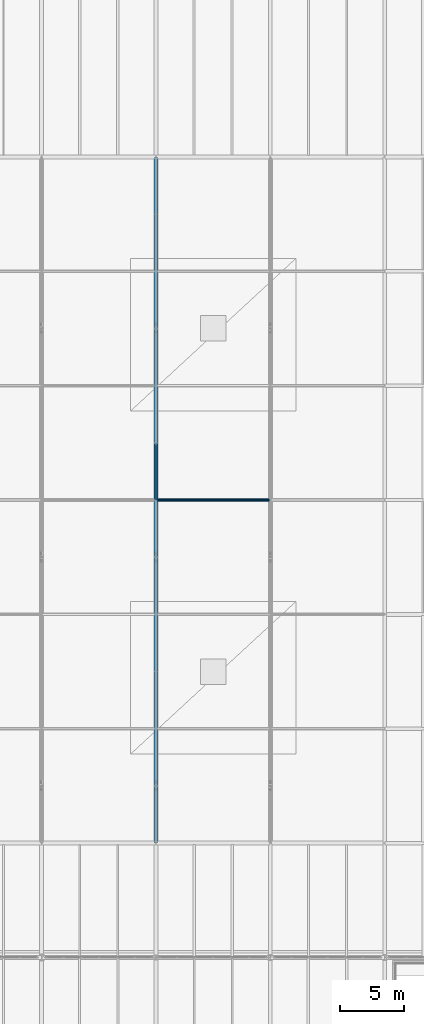
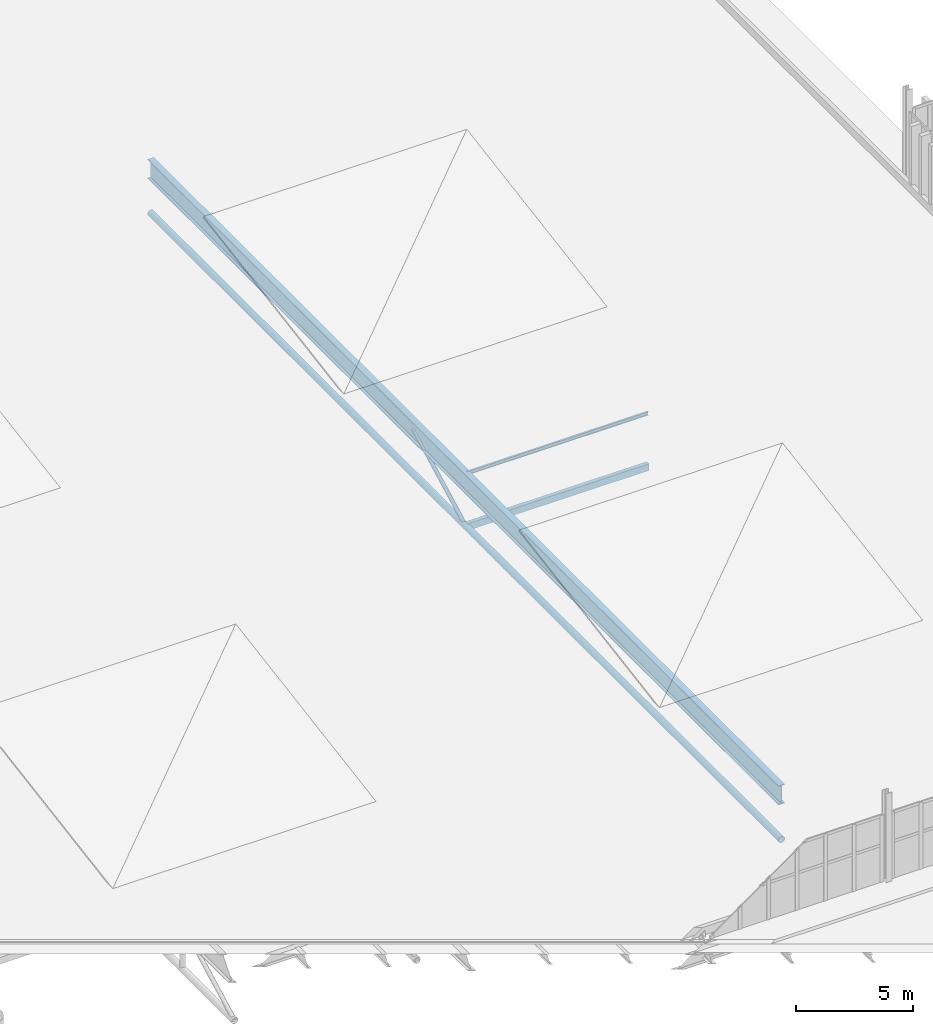
# One storey, part 85 of 196: 4 members, 1 beam.
"""IFC4 building model written with IfcOpenShell, lengths in metres."""

import ifcopenshell
import ifcopenshell.guid

model = None  # the IFC model being written
_history = None  # IfcOwnerHistory: only IFC2X3 demands one
_inside = {}  # id of a spatial element -> (the spatial element, [elements in it])
_under = {}  # id of a project, library or spatial element -> (it, [spatial elements below it])
_declared = {}  # id of a project -> (the project, [libraries it declares])
_typed = {}  # id of a type object -> (the type object, [elements of that type])
_made_of = {}  # id of a material, layer set ... -> (it, [elements and type objects made of it])


def new_model(schema):
    """Start an empty IFC model of exactly this schema.

    Asked for "IFC4X3", IfcOpenShell would pick the latest addendum, in which some entities
    have other attributes; the version numbers below select the first issue.
    IFC2X3 requires an IfcOwnerHistory on every rooted entity: one is made here for all.
    """
    global model, _history
    if schema == "IFC4X3":
        model = ifcopenshell.file(schema_version=(4, 3, 0, 0))
    else:
        model = ifcopenshell.file(schema=schema)
    _inside.clear()
    _under.clear()
    _declared.clear()
    _typed.clear()
    _made_of.clear()
    _history = None
    if model.schema == "IFC2X3":
        org = make("IfcOrganization", Name="unknown")
        user = make(
            "IfcPersonAndOrganization",
            ThePerson=make("IfcPerson", FamilyName="unknown"),
            TheOrganization=org,
        )
        app = make(
            "IfcApplication",
            ApplicationDeveloper=org,
            Version="unknown",
            ApplicationFullName="unknown",
            ApplicationIdentifier="unknown",
        )
        _history = make(
            "IfcOwnerHistory",
            OwningUser=user,
            OwningApplication=app,
            ChangeAction="ADDED",
            CreationDate=0,
        )
    return model


def make(cls, **values):
    """One entity of the class cls with the attributes given. An attribute that is None is left unset."""
    return model.create_entity(
        cls, **{name: value for name, value in values.items() if value is not None}
    )


def rooted(cls, **values):
    """An entity with a GlobalId (a new one), such as an element, a storey or a relation."""
    return make(cls, GlobalId=ifcopenshell.guid.new(), OwnerHistory=_history, **values)


def si_unit(unit_type, name, prefix=None):
    """IfcSIUnit, for example si_unit("LENGTHUNIT", "METRE", prefix="MILLI")."""
    return make("IfcSIUnit", UnitType=unit_type, Prefix=prefix, Name=name)


def assignment(units):
    """IfcUnitAssignment: the units of a project."""
    return None if units is None else make("IfcUnitAssignment", Units=units)


def point(xyz):
    """IfcCartesianPoint."""
    return None if xyz is None else make("IfcCartesianPoint", Coordinates=xyz)


def direction(xyz):
    """IfcDirection."""
    return None if xyz is None else make("IfcDirection", DirectionRatios=xyz)


def frame(location, z_axis=None, x_axis=None):
    """IfcAxis2Placement3D, a coordinate frame: its origin and axes. An axis left out is left unset."""
    return make(
        "IfcAxis2Placement3D",
        Location=point(location),
        Axis=direction(z_axis),
        RefDirection=direction(x_axis),
    )


def frame_2d(location, x_axis=None):
    """IfcAxis2Placement2D, a coordinate frame in the plane: its origin and x axis."""
    return make(
        "IfcAxis2Placement2D", Location=point(location), RefDirection=direction(x_axis)
    )


def origin():
    """The frame at (0, 0, 0) with its axes left unset."""
    return frame((0.0, 0.0, 0.0))


def origin_2d():
    """The frame at (0, 0) in the plane with its x axis left unset."""
    return frame_2d((0.0, 0.0))


def place(relative_to, where):
    """IfcLocalPlacement: puts the frame where relative to a parent placement (None: the world)."""
    return make(
        "IfcLocalPlacement", PlacementRelTo=relative_to, RelativePlacement=where
    )


def context(
    kind, dimensions, precision=None, world=None, true_north=None, identifier=None
):
    """IfcGeometricRepresentationContext, for example the 3D "Model" context."""
    return make(
        "IfcGeometricRepresentationContext",
        ContextIdentifier=identifier,
        ContextType=kind,
        CoordinateSpaceDimension=dimensions,
        Precision=precision,
        WorldCoordinateSystem=world,
        TrueNorth=true_north,
    )


def subcontext(parent, identifier, kind, view, scale=None):
    """IfcGeometricRepresentationSubContext, for example "Body" below "Model"."""
    return make(
        "IfcGeometricRepresentationSubContext",
        ContextIdentifier=identifier,
        ContextType=kind,
        ParentContext=parent,
        TargetScale=scale,
        TargetView=view,
    )


def project(units=None, contexts=None):
    """IfcProject with its units and contexts."""
    return rooted(
        "IfcProject",
        Name="project",
        RepresentationContexts=contexts,
        UnitsInContext=assignment(units),
    )


def spatial(cls, under=None, at=None, **own):
    """A site, building, storey or space (cls), placed at a placement, below another one or the project."""
    s = rooted(cls, ObjectPlacement=at, **own)
    if under is not None:
        _under.setdefault(under.id(), (under, []))[1].append(s)
    return s


def profile(cls, at=None, kind="AREA", **sizes):
    """A parametric profile (cls). Its sizes go by their IFC names, for example OverallWidth=200.0."""
    return make(cls, ProfileType=kind, Position=at, **sizes)


def hollow_rectangle(**sizes):
    """IfcRectangleHollowProfileDef."""
    return profile("IfcRectangleHollowProfileDef", **sizes)


def hollow_circle(**sizes):
    """IfcCircleHollowProfileDef."""
    return profile("IfcCircleHollowProfileDef", **sizes)


def i_section(**sizes):
    """IfcIShapeProfileDef."""
    return profile("IfcIShapeProfileDef", **sizes)


def extrude(swept, where, along, depth):
    """IfcExtrudedAreaSolid: the profile swept, set in the frame where, extruded along a direction by depth."""
    return make(
        "IfcExtrudedAreaSolid",
        SweptArea=swept,
        Position=where,
        ExtrudedDirection=direction(along),
        Depth=depth,
    )


def shape(context_of_items, identifier, shape_type, items):
    """IfcShapeRepresentation: the items that make up one representation, for example the "Body"."""
    return make(
        "IfcShapeRepresentation",
        ContextOfItems=context_of_items,
        RepresentationIdentifier=identifier,
        RepresentationType=shape_type,
        Items=items,
    )


def material(Name=None, Category=None):
    """IfcMaterial."""
    return make("IfcMaterial", Name=Name, Category=Category)


def material_profile(
    of_material, cross_section, Name=None, Category=None, Priority=None
):
    """IfcMaterialProfile: a cross section and its material."""
    return make(
        "IfcMaterialProfile",
        Name=Name,
        Material=of_material,
        Profile=cross_section,
        Priority=Priority,
        Category=Category,
    )


def profile_set(profiles, Name=None, composite=None):
    """IfcMaterialProfileSet."""
    return make(
        "IfcMaterialProfileSet",
        Name=Name,
        MaterialProfiles=profiles,
        CompositeProfile=composite,
    )


def made_of(thing, what):
    """Note that an element or type object is made of a material, layer set ...; save() writes the relation."""
    if what is not None:
        _made_of.setdefault(what.id(), (what, []))[1].append(thing)
    return thing


def type_object(cls, material=None, **own):
    """A type object (cls), such as IfcWallType, which elements share."""
    return made_of(rooted(cls, **own), material)


def element(
    cls,
    number,
    at=None,
    inside=None,
    cuts=None,
    type_object=None,
    material=None,
    context=None,
    identifier="Body",
    shape_type=None,
    held_by="IfcProductDefinitionShape",
    body=None,
    shapes=None,
    **own,
):
    """One element of the class cls, such as IfcWall. Its Tag is "e" and its number.

    at: its placement. inside: the storey or other place that contains it. cuts: it is an
    opening in that element (IfcRelVoidsElement). A single representation is given by context,
    identifier, shape_type and body (its items); several are given by shapes. held_by: the class
    of the entity that holds the representations. save() writes the other relations.
    """
    e = rooted(cls, Tag="e%d" % number, ObjectPlacement=at, **own)
    if body is not None:
        shapes = [shape(context, identifier, shape_type, body)]
    if shapes is not None:
        e.Representation = make(held_by, Representations=shapes)
    if inside is not None:
        _inside.setdefault(inside.id(), (inside, []))[1].append(e)
    if cuts is not None:
        rooted(
            "IfcRelVoidsElement", RelatingBuildingElement=cuts, RelatedOpeningElement=e
        )
    if type_object is not None:
        _typed.setdefault(type_object.id(), (type_object, []))[1].append(e)
    return made_of(e, material)


def aggregate(whole, parts):
    """IfcRelAggregates: a whole, such as a stair, and the parts it consists of."""
    return rooted("IfcRelAggregates", RelatingObject=whole, RelatedObjects=parts)


def save(model, path):
    """Write the relations noted so far, then the file.

    IfcRelAggregates (storeys below a building ...), IfcRelContainedInSpatialStructure (elements
    in a storey), IfcRelDefinesByType, IfcRelAssociatesMaterial and IfcRelDeclares: one each for
    every whole, place, type object, material and project.
    """
    for whole, parts in _under.values():
        aggregate(whole, parts)
    for where, things in _inside.values():
        rooted(
            "IfcRelContainedInSpatialStructure",
            RelatedElements=things,
            RelatingStructure=where,
        )
    for kind, things in _typed.values():
        rooted("IfcRelDefinesByType", RelatedObjects=things, RelatingType=kind)
    for what, things in _made_of.values():
        rooted("IfcRelAssociatesMaterial", RelatedObjects=things, RelatingMaterial=what)
    for by, libraries in _declared.values():
        rooted("IfcRelDeclares", RelatingContext=by, RelatedDefinitions=libraries)
    model.write(path)


model = new_model("IFC4")

# Units and contexts
model_context = context("Model", 3, precision=1e-05, world=origin(), true_north=direction((0.0, 1.0)))
body_context = subcontext(model_context, "Body", "Model", "MODEL_VIEW")
ifc_project = project(units=[si_unit("LENGTHUNIT", "METRE"), si_unit("AREAUNIT", "SQUARE_METRE"), si_unit("VOLUMEUNIT", "CUBIC_METRE"), si_unit("PLANEANGLEUNIT", "RADIAN"), si_unit("MASSUNIT", "GRAM", prefix="KILO")], contexts=[model_context])

# Site, building, storey
site_placement = place(None, origin())
site = spatial("IfcSite", under=ifc_project, at=site_placement, CompositionType="ELEMENT")
building_placement = place(site_placement, origin())
building = spatial("IfcBuilding", under=site, at=building_placement, Name="Barlavento Convention Centre", CompositionType="ELEMENT")
storey_placement = place(building_placement, frame((0.0, 0.0, 18.0)))
storey = spatial("IfcBuildingStorey", under=building, at=storey_placement, Name="L03", CompositionType="ELEMENT", Elevation=18.0)

# Beam
ifc_material_1 = material(Name="Steel S460", Category="steel")
ifc_material_profile_1 = material_profile(ifc_material_1, i_section(OverallWidth=0.302001953125, OverallDepth=1.008056640625, WebThickness=0.02099609375, FlangeThickness=0.0400390625, FilletRadius=0.030029296875, at=origin_2d()), Name="HEM 1000")
ifc_profile_set_1 = profile_set([ifc_material_profile_1], Name="Steel S460")
beam_type = type_object("IfcBeamType", Name="STR-BM-EXH-HEM1000", PredefinedType="BEAM", material=ifc_profile_set_1)
beam_placement = place(storey_placement, frame((99.0, 63.02001953125, -0.84912109375), z_axis=(0.0, 1.0, 0.0), x_axis=(-1.0, 0.0, 0.0)))
element("IfcBeam", 1, at=beam_placement, inside=storey, type_object=beam_type, Name="Exhibition roof space frame top girder", PredefinedType="BEAM", context=body_context, shape_type="SweptSolid", body=[
    extrude(i_section(OverallWidth=0.302001953125, OverallDepth=1.008056640625, WebThickness=0.02099609375, FlangeThickness=0.0400390625, FilletRadius=0.030029296875, at=origin_2d()), origin(), (0.0, 0.0, 1.0), 53.9599609375),
])

# Members
ifc_material_2 = material(Name="Steel S355", Category="steel")
ifc_material_profile_2 = material_profile(ifc_material_2, hollow_circle(Radius=0.161865234375, WallThickness=0.01611328125, at=origin_2d()), Name="CHS 323.9x16.0")
ifc_profile_set_2 = profile_set([ifc_material_profile_2], Name="Steel S355")
member_type_1 = type_object("IfcMemberType", Name="STR-MEM-CHD-CHS323", PredefinedType="CHORD", material=ifc_profile_set_2)
member_1_placement = place(storey_placement, frame((99.0, 63.02001953125, -3.199951171875), z_axis=(0.0, 1.0, 0.0), x_axis=(-1.0, 0.0, 0.0)))
element("IfcMember", 2, at=member_1_placement, inside=storey, type_object=member_type_1, Name="Exhibition space frame bottom chord TC02", PredefinedType="CHORD", context=body_context, shape_type="SweptSolid", body=[
    extrude(hollow_circle(Radius=0.161865234375, WallThickness=0.01611328125, at=origin_2d()), origin(), (0.0, 0.0, 1.0), 53.9599609375),
])
ifc_material_profile_3 = material_profile(ifc_material_2, hollow_rectangle(XDim=0.199951171875, YDim=0.35009765625, WallThickness=0.012451171875, at=origin_2d()), Name="RHS 350x200x12.5")
ifc_profile_set_3 = profile_set([ifc_material_profile_3], Name="Steel S355")
member_type_2 = type_object("IfcMemberType", Name="STR-MEM-COL-RHS350", PredefinedType="COLLAR", material=ifc_profile_set_3)
member_2_placement = place(storey_placement, frame((99.02001953125, 90.0, -3.199951171875), z_axis=(1.0, 0.0, 0.0), x_axis=(0.0, 1.0, 0.0)))
element("IfcMember", 3, at=member_2_placement, inside=storey, type_object=member_type_2, Name="Exhibition space frame transverse chord", PredefinedType="COLLAR", context=body_context, shape_type="SweptSolid", body=[
    extrude(hollow_rectangle(XDim=0.199951171875, YDim=0.35009765625, WallThickness=0.012451171875, at=origin_2d()), origin(), (0.0, 0.0, 1.0), 8.9599609375),
])
ifc_material_profile_4 = material_profile(ifc_material_2, hollow_circle(Radius=0.096923828125, WallThickness=0.010009765625, at=origin_2d()), Name="CHS 193.7x10.0")
ifc_profile_set_4 = profile_set([ifc_material_profile_4], Name="Steel S355")
member_type_3 = type_object("IfcMemberType", Name="STR-MEM-DIAG-CHS193", PredefinedType="RAFTER", material=ifc_profile_set_4)
member_3_placement = place(storey_placement, frame((99.0, 90.050048828125, -3.199951171875), z_axis=(0.0, 0.884200566707, 0.467107437144), x_axis=(-1.0, 0.0, 0.0)))
element("IfcMember", 4, at=member_3_placement, inside=storey, type_object=member_type_3, Name="Exhibition space frame web diagonal", PredefinedType="RAFTER", context=body_context, shape_type="SweptSolid", body=[
    extrude(hollow_circle(Radius=0.096923828125, WallThickness=0.010009765625, at=origin_2d()), origin(), (0.0, 0.0, 1.0), 5.03271484375),
])
ifc_material_profile_5 = material_profile(ifc_material_2, i_section(OverallWidth=0.091064453125, OverallDepth=0.179931640625, WebThickness=0.00537109375, FlangeThickness=0.008056640625, FilletRadius=0.009033203125, at=origin_2d()), Name="IPE 180")
ifc_profile_set_5 = profile_set([ifc_material_profile_5], Name="Steel S355")
member_type_4 = type_object("IfcMemberType", Name="STR-MEM-PUR-IPE180", PredefinedType="PURLIN", material=ifc_profile_set_5)
member_4_placement = place(storey_placement, frame((99.02001953125, 90.0, -0.43505859375), z_axis=(1.0, 0.0, 0.0), x_axis=(0.0, 1.0, 0.0)))
element("IfcMember", 5, at=member_4_placement, inside=storey, type_object=member_type_4, Name="Exhibition roof purlin", PredefinedType="PURLIN", context=body_context, shape_type="SweptSolid", body=[
    extrude(i_section(OverallWidth=0.091064453125, OverallDepth=0.179931640625, WebThickness=0.00537109375, FlangeThickness=0.008056640625, FilletRadius=0.009033203125, at=origin_2d()), origin(), (0.0, 0.0, 1.0), 8.9599609375),
])

save(model, "model.ifc")
